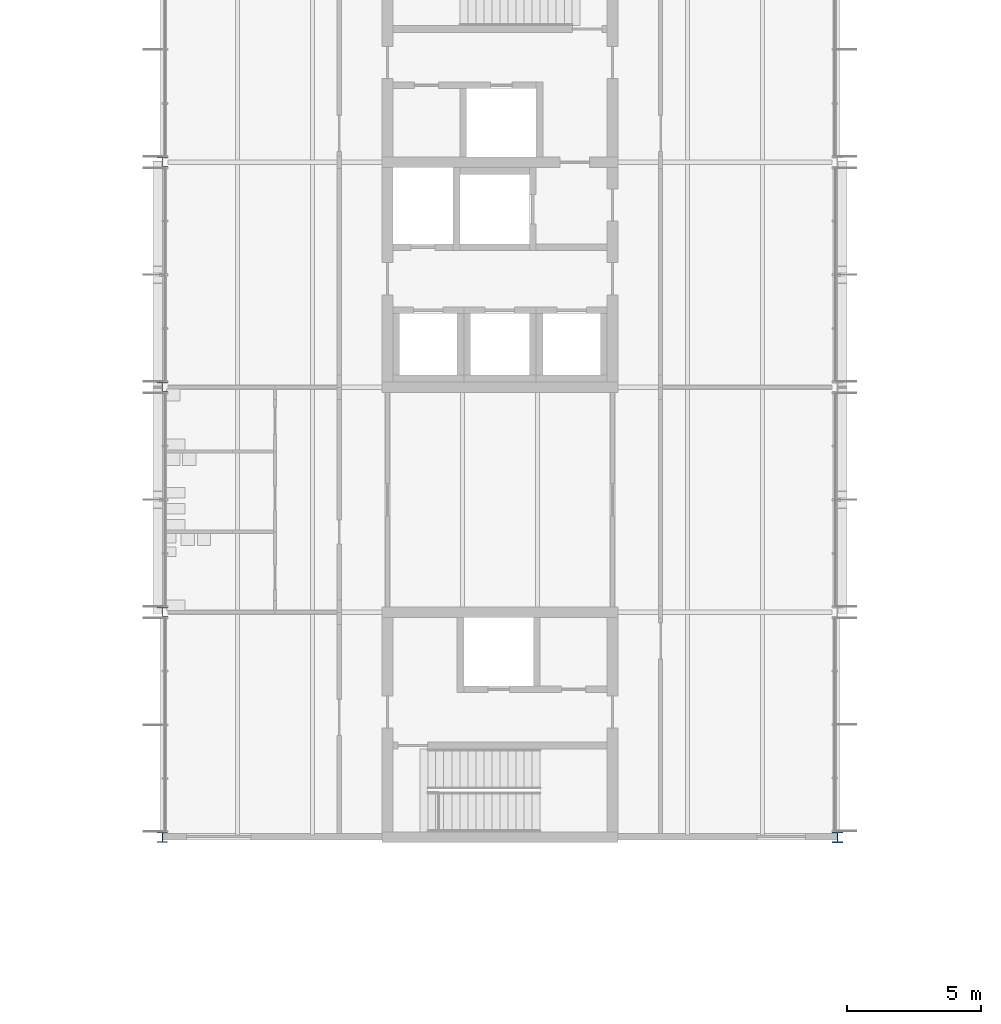
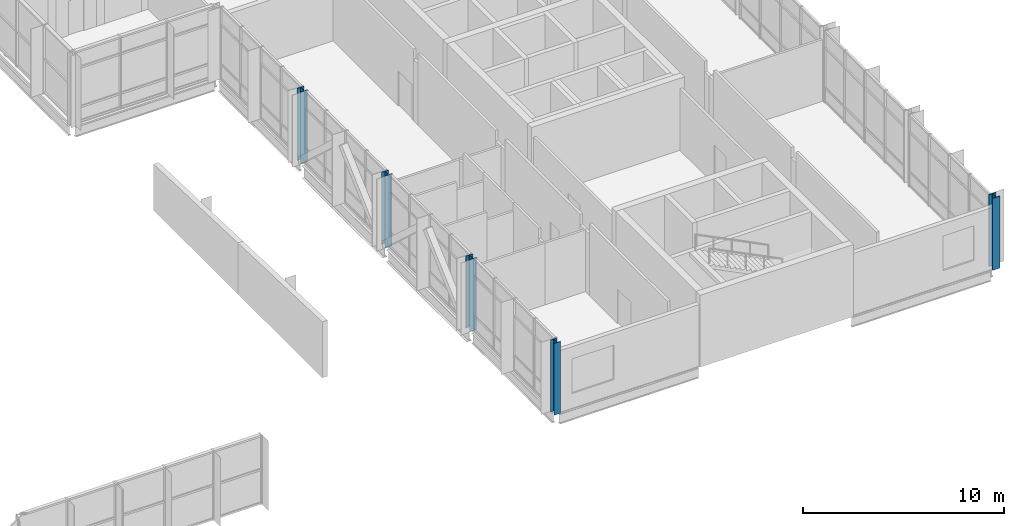
# One storey, part 4 of 72: 5 columns.
"""IFC4 building model written with IfcOpenShell, lengths in metres."""

from ifc_helpers import new_model, si_unit, direction, frame, origin, origin_2d, place, context, subcontext, project, spatial, i_section, extrude, material, material_profile, profile_set, type_object, element, save


model = new_model("IFC4")

# Units and contexts
model_context = context("Model", 3, precision=1e-05, world=origin(), true_north=direction((0.0, 1.0)))
body_context = subcontext(model_context, "Body", "Model", "MODEL_VIEW")
ifc_project = project(units=[si_unit("LENGTHUNIT", "METRE"), si_unit("AREAUNIT", "SQUARE_METRE"), si_unit("VOLUMEUNIT", "CUBIC_METRE"), si_unit("PLANEANGLEUNIT", "RADIAN"), si_unit("MASSUNIT", "GRAM", prefix="KILO")], contexts=[model_context])

# Site, building, storey
site_placement = place(None, origin())
site = spatial("IfcSite", under=ifc_project, at=site_placement, CompositionType="ELEMENT")
building_placement = place(site_placement, origin())
building = spatial("IfcBuilding", under=site, at=building_placement, Name="Hlaing Beacon Police Headquarters", CompositionType="ELEMENT")
storey_placement = place(building_placement, frame((0.0, 0.0, 14.39990234375)))
storey = spatial("IfcBuildingStorey", under=building, at=storey_placement, Name="L03", CompositionType="ELEMENT", Elevation=14.39990234375)

# Columns
ifc_material_1 = material(Name="Steel ASTM A992 Grade 50", Category="steel")
ifc_material_profile_1 = material_profile(ifc_material_1, i_section(OverallWidth=0.373291015625, OverallDepth=0.373291015625, WebThickness=0.016357421875, FlangeThickness=0.026123046875, FilletRadius=0.01513671875, at=origin_2d()), Name="W14x132")
ifc_profile_set_1 = profile_set([ifc_material_profile_1], Name="Steel ASTM A992 Grade 50")
column_type_1 = type_object("IfcColumnType", Name="Steel column W14x132", PredefinedType="COLUMN", material=ifc_profile_set_1)
column_1_placement = place(storey_placement, frame((100.800048828125, 33.60009765625, 0.0), z_axis=(0.0, 0.0, 1.0), x_axis=(1.0, 0.0, 0.0)))
element("IfcColumn", 1, at=column_1_placement, inside=storey, type_object=column_type_1, Name="STR-COL-L03-N5", PredefinedType="COLUMN", context=body_context, shape_type="SweptSolid", body=[
    extrude(i_section(OverallWidth=0.373291015625, OverallDepth=0.373291015625, WebThickness=0.016357421875, FlangeThickness=0.026123046875, FilletRadius=0.01513671875, at=origin_2d()), origin(), (0.0, 0.0, 1.0), 4.3701171875),
])
ifc_material_2 = material(Name="Steel ASTM A992 Grade 50", Category="steel")
ifc_material_profile_2 = material_profile(ifc_material_2, i_section(OverallWidth=0.396240234375, OverallDepth=0.381103515625, WebThickness=0.01904296875, FlangeThickness=0.0302734375, FilletRadius=0.01513671875, at=origin_2d()), Name="W14x159")
ifc_profile_set_2 = profile_set([ifc_material_profile_2], Name="Steel ASTM A992 Grade 50")
column_type_2 = type_object("IfcColumnType", Name="Steel column W14x159", PredefinedType="COLUMN", material=ifc_profile_set_2)
for number, where, z_axis, x_axis, name in (
    (2, (100.800048828125, 42.0, 0.0), (0.0, 0.0, 1.0), (1.0, 0.0, 0.0), "STR-COL-L03-N6"),
    (3, (100.800048828125, 50.39990234375, 0.0), (0.0, 0.0, 1.0), (1.0, 0.0, 0.0), "STR-COL-L03-N7"),
    (4, (100.800048828125, 58.800048828125, 0.0), (0.0, 0.0, 1.0), (1.0, 0.0, 0.0), "STR-COL-L03-N8"),
):
    element("IfcColumn", number, at=place(storey_placement, frame(where, z_axis=z_axis, x_axis=x_axis)), inside=storey, type_object=column_type_2, Name=name, PredefinedType="COLUMN", context=body_context, shape_type="SweptSolid", body=[
        extrude(i_section(OverallWidth=0.396240234375, OverallDepth=0.381103515625, WebThickness=0.01904296875, FlangeThickness=0.0302734375, FilletRadius=0.01513671875, at=origin_2d()), origin(), (0.0, 0.0, 1.0), 4.3701171875),
    ])
ifc_material_3 = material(Name="Steel ASTM A992 Grade 50", Category="steel")
ifc_material_profile_3 = material_profile(ifc_material_3, i_section(OverallWidth=0.406494140625, OverallDepth=0.41650390625, WebThickness=0.030029296875, FlangeThickness=0.048095703125, FilletRadius=0.01513671875, at=origin_2d()), Name="W14x257")
ifc_profile_set_3 = profile_set([ifc_material_profile_3], Name="Steel ASTM A992 Grade 50")
column_type_3 = type_object("IfcColumnType", Name="Steel column W14x257", PredefinedType="COLUMN", material=ifc_profile_set_3)
column_2_placement = place(storey_placement, frame((126.0, 33.60009765625, 0.0), z_axis=(0.0, 0.0, 1.0), x_axis=(1.0, 0.0, 0.0)))
element("IfcColumn", 5, at=column_2_placement, inside=storey, type_object=column_type_3, Name="STR-COL-L03-R5", PredefinedType="COLUMN", context=body_context, shape_type="SweptSolid", body=[
    extrude(i_section(OverallWidth=0.406494140625, OverallDepth=0.41650390625, WebThickness=0.030029296875, FlangeThickness=0.048095703125, FilletRadius=0.01513671875, at=origin_2d()), origin(), (0.0, 0.0, 1.0), 4.3701171875),
])

save(model, "model.ifc")
